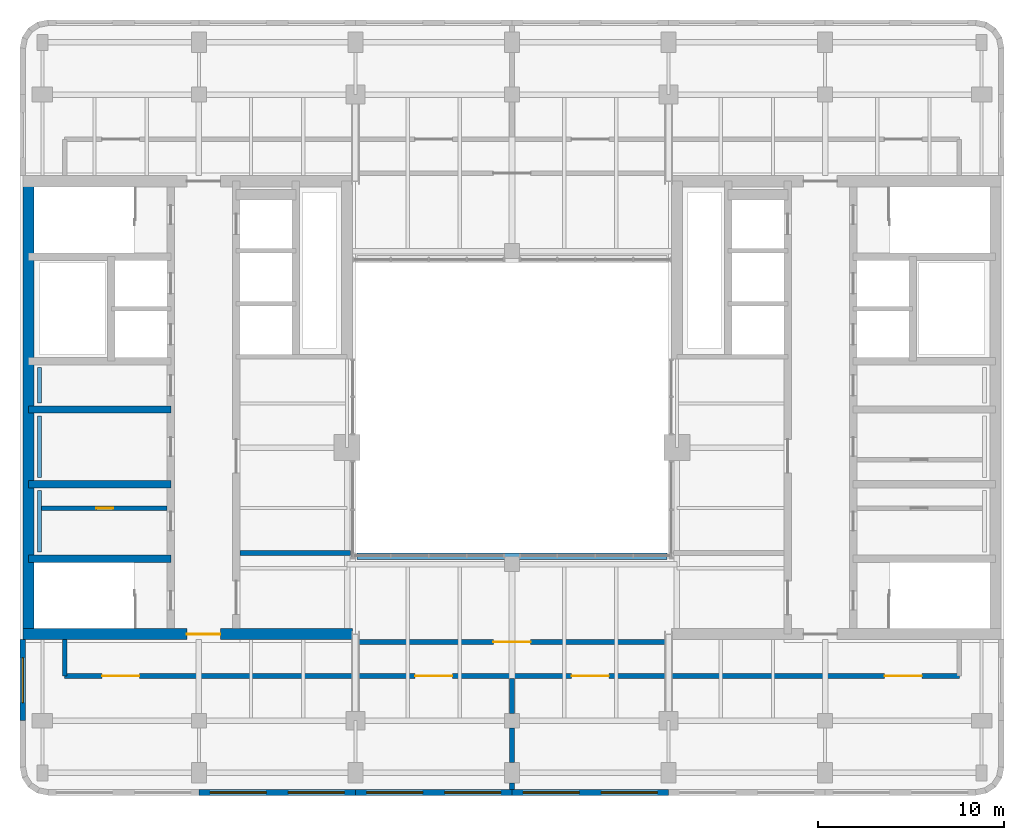
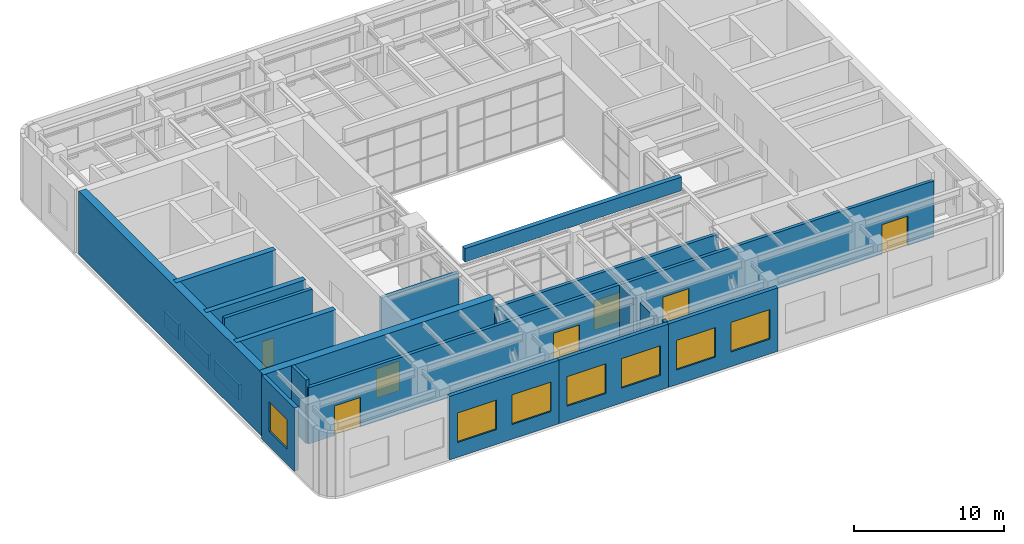
# One storey, part 7 of 11: 21 walls, 7 doors, 7 windows, 14 openings.
"""IFC4 building model written with IfcOpenShell, lengths in metres."""

from ifc_helpers import new_model, si_unit, direction, frame, frame_2d, origin, place, context, subcontext, project, spatial, rectangle, extrude, material, layer, layer_set, type_object, element, fill, save


model = new_model("IFC4")

# Units and contexts
model_context = context("Model", 3, precision=1e-05, world=origin(), true_north=direction((0.0, 1.0)))
body_context = subcontext(model_context, "Body", "Model", "MODEL_VIEW")
ifc_project = project(units=[si_unit("LENGTHUNIT", "METRE"), si_unit("AREAUNIT", "SQUARE_METRE"), si_unit("VOLUMEUNIT", "CUBIC_METRE"), si_unit("PLANEANGLEUNIT", "RADIAN"), si_unit("MASSUNIT", "GRAM", prefix="KILO")], contexts=[model_context])

# Site, building, storey
site_placement = place(None, origin())
site = spatial("IfcSite", under=ifc_project, at=site_placement, CompositionType="ELEMENT")
building_placement = place(site_placement, origin())
building = spatial("IfcBuilding", under=site, at=building_placement, Name="Claustro Exchange Tower", CompositionType="ELEMENT")
storey_placement = place(building_placement, frame((0.0, 0.0, 281.699951171875)))
storey = spatial("IfcBuildingStorey", under=building, at=storey_placement, Name="L64", CompositionType="ELEMENT", Elevation=281.699951171875)

# Wall
ifc_material_1 = material(Name="Concrete blockwork, rendered", Category="masonry")
ifc_layer_1 = layer(ifc_material_1, 0.25)
ifc_layer_set_1 = layer_set([ifc_layer_1], Name="Concrete blockwork, rendered")
wall_type_1 = type_object("IfcWallType", Name="P4 250 blockwork wall", PredefinedType="PARTITIONING", material=ifc_layer_set_1)
wall_1_placement = place(storey_placement, frame((10.597900390625, 17.39990234375, 0.0), z_axis=(0.0, 0.0, 1.0), x_axis=(1.0, 0.0, 0.0)))
element("IfcWall", 1, at=wall_1_placement, inside=storey, type_object=wall_type_1, Name="Partition P4 L64", PredefinedType="PARTITIONING", context=body_context, shape_type="SweptSolid", body=[
    extrude(rectangle(XDim=5.942138671875, YDim=0.25, at=frame_2d((2.97119140625, 0.0))), origin(), (0.0, 0.0, 1.0), 4.56005859375),
])

# Wall, openings, doors
wall_2_placement = place(storey_placement, frame((1.199951171875, 10.800048828125, 0.0), z_axis=(0.0, 0.0, 1.0), x_axis=(1.0, 0.0, 0.0)))
wall_2 = element("IfcWall", 2, at=wall_2_placement, inside=storey, type_object=wall_type_1, Name="Partition P4 L64", PredefinedType="PARTITIONING", context=body_context, shape_type="SweptSolid", body=[
    extrude(rectangle(XDim=48.0, YDim=0.25, at=frame_2d((24.0, 0.0))), origin(), (0.0, 0.0, 1.0), 4.56005859375),
])
opening_1_placement = place(wall_2_placement, frame((2.0, 0.0, 0.0)))
opening_1 = element("IfcOpeningElement", 3, at=opening_1_placement, cuts=wall_2, Name="Opening D9", PredefinedType="OPENING", context=body_context, shape_type="SweptSolid", body=[
    extrude(rectangle(XDim=2.0, YDim=2.39990234375, at=frame_2d((1.0, 1.199951171875))), frame((0.0, 0.135009765625, 0.0), z_axis=(0.0, -1.0, 0.0), x_axis=(1.0, 0.0, 0.0)), (0.0, 0.0, 1.0), 0.27001953125),
])
opening_2_placement = place(wall_2_placement, frame((18.800048828125, 0.0, 0.0)))
opening_2 = element("IfcOpeningElement", 4, at=opening_2_placement, cuts=wall_2, Name="Opening D9", PredefinedType="OPENING", context=body_context, shape_type="SweptSolid", body=[
    extrude(rectangle(XDim=2.0, YDim=2.39990234375, at=frame_2d((1.0, 1.199951171875))), frame((0.0, 0.135009765625, 0.0), z_axis=(0.0, -1.0, 0.0), x_axis=(1.0, 0.0, 0.0)), (0.0, 0.0, 1.0), 0.27001953125),
])
opening_3_placement = place(wall_2_placement, frame((27.199951171875, 0.0, 0.0)))
opening_3 = element("IfcOpeningElement", 5, at=opening_3_placement, cuts=wall_2, Name="Opening D9", PredefinedType="OPENING", context=body_context, shape_type="SweptSolid", body=[
    extrude(rectangle(XDim=2.0, YDim=2.39990234375, at=frame_2d((1.0, 1.199951171875))), frame((0.0, 0.135009765625, 0.0), z_axis=(0.0, -1.0, 0.0), x_axis=(1.0, 0.0, 0.0)), (0.0, 0.0, 1.0), 0.27001953125),
])
opening_4_placement = place(wall_2_placement, frame((44.0, 0.0, 0.0)))
opening_4 = element("IfcOpeningElement", 6, at=opening_4_placement, cuts=wall_2, Name="Opening D9", PredefinedType="OPENING", context=body_context, shape_type="SweptSolid", body=[
    extrude(rectangle(XDim=2.0, YDim=2.39990234375, at=frame_2d((1.0, 1.199951171875))), frame((0.0, 0.135009765625, 0.0), z_axis=(0.0, -1.0, 0.0), x_axis=(1.0, 0.0, 0.0)), (0.0, 0.0, 1.0), 0.27001953125),
])
ifc_material_2 = material(Name="Steel fire door, painted", Category="steel")
door_type_1 = type_object("IfcDoorType", Name="D9 2000 x 2400 plant room double door", OperationType="DOUBLE_DOOR_SINGLE_SWING", PredefinedType="DOOR", material=ifc_material_2)
door_1_placement = place(opening_1_placement, frame((2.0, 0.0, 0.0), z_axis=(0.0, 0.0, 1.0), x_axis=(-1.0, 0.0, 0.0)))
door_1 = element("IfcDoor", 7, at=door_1_placement, inside=storey, type_object=door_type_1, Name="Double door D9 L64", OperationType="DOUBLE_DOOR_SINGLE_SWING", OverallHeight=2.39990234375, OverallWidth=2.0, PredefinedType="DOOR", context=body_context, shape_type="SweptSolid", body=[
    extrude(rectangle(XDim=2.0, YDim=2.39990234375, at=frame_2d((1.0, 1.199951171875))), frame((0.0, 0.02490234375, 0.0), z_axis=(0.0, -1.0, 0.0), x_axis=(1.0, 0.0, 0.0)), (0.0, 0.0, 1.0), 0.050048828125),
])
fill(opening_1, door_1)
door_2_placement = place(opening_2_placement, frame((2.0, 0.0, 0.0), z_axis=(0.0, 0.0, 1.0), x_axis=(-1.0, 0.0, 0.0)))
door_2 = element("IfcDoor", 8, at=door_2_placement, inside=storey, type_object=door_type_1, Name="Double door D9 L64", OperationType="DOUBLE_DOOR_SINGLE_SWING", OverallHeight=2.39990234375, OverallWidth=2.0, PredefinedType="DOOR", context=body_context, shape_type="SweptSolid", body=[
    extrude(rectangle(XDim=2.0, YDim=2.39990234375, at=frame_2d((1.0, 1.199951171875))), frame((0.0, 0.02490234375, 0.0), z_axis=(0.0, -1.0, 0.0), x_axis=(1.0, 0.0, 0.0)), (0.0, 0.0, 1.0), 0.050048828125),
])
fill(opening_2, door_2)
door_3_placement = place(opening_3_placement, frame((2.0, 0.0, 0.0), z_axis=(0.0, 0.0, 1.0), x_axis=(-1.0, 0.0, 0.0)))
door_3 = element("IfcDoor", 9, at=door_3_placement, inside=storey, type_object=door_type_1, Name="Double door D9 L64", OperationType="DOUBLE_DOOR_SINGLE_SWING", OverallHeight=2.39990234375, OverallWidth=2.0, PredefinedType="DOOR", context=body_context, shape_type="SweptSolid", body=[
    extrude(rectangle(XDim=2.0, YDim=2.39990234375, at=frame_2d((1.0, 1.199951171875))), frame((0.0, 0.02490234375, 0.0), z_axis=(0.0, -1.0, 0.0), x_axis=(1.0, 0.0, 0.0)), (0.0, 0.0, 1.0), 0.050048828125),
])
fill(opening_3, door_3)
door_4_placement = place(opening_4_placement, frame((2.0, 0.0, 0.0), z_axis=(0.0, 0.0, 1.0), x_axis=(-1.0, 0.0, 0.0)))
door_4 = element("IfcDoor", 10, at=door_4_placement, inside=storey, type_object=door_type_1, Name="Double door D9 L64", OperationType="DOUBLE_DOOR_SINGLE_SWING", OverallHeight=2.39990234375, OverallWidth=2.0, PredefinedType="DOOR", context=body_context, shape_type="SweptSolid", body=[
    extrude(rectangle(XDim=2.0, YDim=2.39990234375, at=frame_2d((1.0, 1.199951171875))), frame((0.0, 0.02490234375, 0.0), z_axis=(0.0, -1.0, 0.0), x_axis=(1.0, 0.0, 0.0)), (0.0, 0.0, 1.0), 0.050048828125),
])
fill(opening_4, door_4)

# Walls
wall_3_placement = place(storey_placement, frame((1.199951171875, 10.800048828125, 0.0), z_axis=(0.0, 0.0, 1.0), x_axis=(0.0, 1.0, 0.0)))
element("IfcWall", 11, at=wall_3_placement, inside=storey, type_object=wall_type_1, Name="Partition P4 L64", PredefinedType="PARTITIONING", context=body_context, shape_type="SweptSolid", body=[
    extrude(rectangle(XDim=1.951904296875, YDim=0.25, at=frame_2d((0.97607421875, 0.0))), origin(), (0.0, 0.0, 1.0), 5.150146484375),
])
wall_4_placement = place(storey_placement, frame((25.199951171875, 4.697998046875, 0.0), z_axis=(0.0, 0.0, 1.0), x_axis=(0.0, 1.0, 0.0)))
element("IfcWall", 12, at=wall_4_placement, inside=storey, type_object=wall_type_1, Name="Partition P4 L64", PredefinedType="PARTITIONING", context=body_context, shape_type="SweptSolid", body=[
    extrude(rectangle(XDim=0.35107421875, YDim=0.25, at=frame_2d((0.175537109375, 0.0))), origin(), (0.0, 0.0, 1.0), 5.150146484375),
])
wall_5_placement = place(storey_placement, frame((25.199951171875, 6.14892578125, 0.0), z_axis=(0.0, 0.0, 1.0), x_axis=(0.0, 1.0, 0.0)))
element("IfcWall", 13, at=wall_5_placement, inside=storey, type_object=wall_type_1, Name="Partition P4 L64", PredefinedType="PARTITIONING", context=body_context, shape_type="SweptSolid", body=[
    extrude(rectangle(XDim=1.85205078125, YDim=0.25, at=frame_2d((0.926025390625, 0.0))), origin(), (0.0, 0.0, 1.0), 4.75),
])
wall_6_placement = place(storey_placement, frame((25.199951171875, 8.799072265625, 0.0), z_axis=(0.0, 0.0, 1.0), x_axis=(0.0, 1.0, 0.0)))
element("IfcWall", 14, at=wall_6_placement, inside=storey, type_object=wall_type_1, Name="Partition P4 L64", PredefinedType="PARTITIONING", context=body_context, shape_type="SweptSolid", body=[
    extrude(rectangle(XDim=1.876953125, YDim=0.25, at=frame_2d((0.9384765625, 0.0))), origin(), (0.0, 0.0, 1.0), 4.56005859375),
])

# Wall, opening, door
wall_7_placement = place(storey_placement, frame((16.64990234375, 12.625, 0.0), z_axis=(0.0, 0.0, 1.0), x_axis=(1.0, 0.0, 0.0)))
wall_7 = element("IfcWall", 15, at=wall_7_placement, inside=storey, type_object=wall_type_1, Name="Partition P4 L64", PredefinedType="PARTITIONING", context=body_context, shape_type="SweptSolid", body=[
    extrude(rectangle(XDim=17.10009765625, YDim=0.25, at=frame_2d((8.550048828125, 0.0))), origin(), (0.0, 0.0, 1.0), 4.56005859375),
])
opening_5_placement = place(wall_7_placement, frame((7.550048828125, 0.0, 0.0)))
opening_5 = element("IfcOpeningElement", 16, at=opening_5_placement, cuts=wall_7, Name="Opening D9", PredefinedType="OPENING", context=body_context, shape_type="SweptSolid", body=[
    extrude(rectangle(XDim=2.0, YDim=2.39990234375, at=frame_2d((1.0, 1.199951171875))), frame((0.0, 0.135009765625, 0.0), z_axis=(0.0, -1.0, 0.0), x_axis=(1.0, 0.0, 0.0)), (0.0, 0.0, 1.0), 0.27001953125),
])
door_5_placement = place(opening_5_placement, origin())
door_5 = element("IfcDoor", 17, at=door_5_placement, inside=storey, type_object=door_type_1, Name="Double door D9 L64", OperationType="DOUBLE_DOOR_SINGLE_SWING", OverallHeight=2.39990234375, OverallWidth=2.0, PredefinedType="DOOR", context=body_context, shape_type="SweptSolid", body=[
    extrude(rectangle(XDim=2.0, YDim=2.39990234375, at=frame_2d((1.0, 1.199951171875))), frame((0.0, 0.02490234375, 0.0), z_axis=(0.0, -1.0, 0.0), x_axis=(1.0, 0.0, 0.0)), (0.0, 0.0, 1.0), 0.050048828125),
])
fill(opening_5, door_5)

wall_8_placement = place(storey_placement, frame((-0.050048828125, 19.800048828125, 0.0), z_axis=(0.0, 0.0, 1.0), x_axis=(1.0, 0.0, 0.0)))
wall_8 = element("IfcWall", 18, at=wall_8_placement, inside=storey, type_object=wall_type_1, Name="Partition P4 L64", PredefinedType="PARTITIONING", context=body_context, shape_type="SweptSolid", body=[
    extrude(rectangle(XDim=6.75, YDim=0.25, at=frame_2d((3.375, 0.0))), origin(), (0.0, 0.0, 1.0), 5.199951171875),
])
opening_6_placement = place(wall_8_placement, frame((2.949951171875, 0.0, 0.0)))
opening_6 = element("IfcOpeningElement", 19, at=opening_6_placement, cuts=wall_8, Name="Opening D5", PredefinedType="OPENING", context=body_context, shape_type="SweptSolid", body=[
    extrude(rectangle(XDim=0.89990234375, YDim=2.199951171875, at=frame_2d((0.449951171875, 1.10009765625))), frame((0.0, 0.135009765625, 0.0), z_axis=(0.0, -1.0, 0.0), x_axis=(1.0, 0.0, 0.0)), (0.0, 0.0, 1.0), 0.27001953125),
])
ifc_material_3 = material(Name="Steel door, painted", Category="steel")
door_type_2 = type_object("IfcDoorType", Name="D5 900 x 2200 store door", OperationType="SINGLE_SWING_LEFT", PredefinedType="DOOR", material=ifc_material_3)
door_6_placement = place(opening_6_placement, origin())
door_6 = element("IfcDoor", 20, at=door_6_placement, inside=storey, type_object=door_type_2, Name="Store door D5 L64", OperationType="SINGLE_SWING_RIGHT", OverallHeight=2.199951171875, OverallWidth=0.89990234375, PredefinedType="DOOR", context=body_context, shape_type="SweptSolid", body=[
    extrude(rectangle(XDim=0.89990234375, YDim=2.199951171875, at=frame_2d((0.449951171875, 1.10009765625))), frame((0.0, 0.02490234375, 0.0), z_axis=(0.0, -1.0, 0.0), x_axis=(1.0, 0.0, 0.0)), (0.0, 0.0, 1.0), 0.050048828125),
])
fill(opening_6, door_6)

# Wall, openings, windows
ifc_material_4 = material(Name="Concrete HA-40 (C40/50), precast, white cement, acid-etched", Category="concrete")
ifc_layer_2 = layer(ifc_material_4, 0.300048828125)
ifc_layer_set_2 = layer_set([ifc_layer_2], Name="Concrete HA-40 (C40/50), precast, white cement, acid-etched")
wall_type_2 = type_object("IfcWallType", Name="PC1 300 precast concrete pier panel", PredefinedType="SOLIDWALL", material=ifc_layer_set_2)
wall_9_placement = place(storey_placement, frame((33.60009765625, 4.550048828125, 0.0), z_axis=(0.0, 0.0, 1.0), x_axis=(-1.0, 0.0, 0.0)))
wall_9 = element("IfcWall", 21, at=wall_9_placement, inside=storey, type_object=wall_type_2, Name="Precast pier panel PC1 L64", PredefinedType="SOLIDWALL", context=body_context, shape_type="SweptSolid", body=[
    extrude(rectangle(XDim=8.400146484375, YDim=0.300048828125, at=frame_2d((4.2001953125, 0.0))), origin(), (0.0, 0.0, 1.0), 5.150146484375),
])
opening_7_placement = place(wall_9_placement, frame((0.60009765625, 0.0, 1.199951171875)))
opening_7 = element("IfcOpeningElement", 22, at=opening_7_placement, cuts=wall_9, Name="Opening L1", PredefinedType="OPENING", context=body_context, shape_type="SweptSolid", body=[
    extrude(rectangle(XDim=3.0, YDim=2.39990234375, at=frame_2d((1.5, 1.199951171875))), frame((0.0, 0.159912109375, 0.0), z_axis=(0.0, -1.0, 0.0), x_axis=(1.0, 0.0, 0.0)), (0.0, 0.0, 1.0), 0.320068359375),
])
opening_8_placement = place(wall_9_placement, frame((4.800048828125, 0.0, 1.199951171875)))
opening_8 = element("IfcOpeningElement", 23, at=opening_8_placement, cuts=wall_9, Name="Opening L1", PredefinedType="OPENING", context=body_context, shape_type="SweptSolid", body=[
    extrude(rectangle(XDim=3.0, YDim=2.39990234375, at=frame_2d((1.5, 1.199951171875))), frame((0.0, 0.159912109375, 0.0), z_axis=(0.0, -1.0, 0.0), x_axis=(1.0, 0.0, 0.0)), (0.0, 0.0, 1.0), 0.320068359375),
])
ifc_material_5 = material(Name="Aluminium louvre blades", Category="aluminium")
window_type_1 = type_object("IfcWindowType", Name="L1 3000 x 2400 plant louvre", PartitioningType="SINGLE_PANEL", PredefinedType="USERDEFINED", material=ifc_material_5)
window_1_placement = place(opening_7_placement, origin())
window_1 = element("IfcWindow", 24, at=window_1_placement, inside=storey, type_object=window_type_1, Name="Plant louvre L1 L64", ObjectType="LOUVRE", OverallHeight=2.39990234375, OverallWidth=3.0, PartitioningType="SINGLE_PANEL", PredefinedType="USERDEFINED", context=body_context, shape_type="SweptSolid", body=[
    extrude(rectangle(XDim=3.0, YDim=2.39990234375, at=frame_2d((1.5, 1.199951171875))), frame((0.0, 0.030029296875, 0.0), z_axis=(0.0, -1.0, 0.0), x_axis=(1.0, 0.0, 0.0)), (0.0, 0.0, 1.0), 0.06005859375),
])
fill(opening_7, window_1)
window_2_placement = place(opening_8_placement, origin())
window_2 = element("IfcWindow", 25, at=window_2_placement, inside=storey, type_object=window_type_1, Name="Plant louvre L1 L64", ObjectType="LOUVRE", OverallHeight=2.39990234375, OverallWidth=3.0, PartitioningType="SINGLE_PANEL", PredefinedType="USERDEFINED", context=body_context, shape_type="SweptSolid", body=[
    extrude(rectangle(XDim=3.0, YDim=2.39990234375, at=frame_2d((1.5, 1.199951171875))), frame((0.0, 0.030029296875, 0.0), z_axis=(0.0, -1.0, 0.0), x_axis=(1.0, 0.0, 0.0)), (0.0, 0.0, 1.0), 0.06005859375),
])
fill(opening_8, window_2)

wall_10_placement = place(storey_placement, frame((25.199951171875, 4.550048828125, 0.0), z_axis=(0.0, 0.0, 1.0), x_axis=(-1.0, 0.0, 0.0)))
wall_10 = element("IfcWall", 26, at=wall_10_placement, inside=storey, type_object=wall_type_2, Name="Precast pier panel PC1 L64", PredefinedType="SOLIDWALL", context=body_context, shape_type="SweptSolid", body=[
    extrude(rectangle(XDim=8.39990234375, YDim=0.300048828125, at=frame_2d((4.199951171875, 0.0))), origin(), (0.0, 0.0, 1.0), 5.150146484375),
])
opening_9_placement = place(wall_10_placement, frame((0.60009765625, 0.0, 1.199951171875)))
opening_9 = element("IfcOpeningElement", 27, at=opening_9_placement, cuts=wall_10, Name="Opening L1", PredefinedType="OPENING", context=body_context, shape_type="SweptSolid", body=[
    extrude(rectangle(XDim=3.0, YDim=2.39990234375, at=frame_2d((1.5, 1.199951171875))), frame((0.0, 0.159912109375, 0.0), z_axis=(0.0, -1.0, 0.0), x_axis=(1.0, 0.0, 0.0)), (0.0, 0.0, 1.0), 0.320068359375),
])
opening_10_placement = place(wall_10_placement, frame((4.800048828125, 0.0, 1.199951171875)))
opening_10 = element("IfcOpeningElement", 28, at=opening_10_placement, cuts=wall_10, Name="Opening L1", PredefinedType="OPENING", context=body_context, shape_type="SweptSolid", body=[
    extrude(rectangle(XDim=3.0, YDim=2.39990234375, at=frame_2d((1.5, 1.199951171875))), frame((0.0, 0.159912109375, 0.0), z_axis=(0.0, -1.0, 0.0), x_axis=(1.0, 0.0, 0.0)), (0.0, 0.0, 1.0), 0.320068359375),
])
window_3_placement = place(opening_9_placement, origin())
window_3 = element("IfcWindow", 29, at=window_3_placement, inside=storey, type_object=window_type_1, Name="Plant louvre L1 L64", ObjectType="LOUVRE", OverallHeight=2.39990234375, OverallWidth=3.0, PartitioningType="SINGLE_PANEL", PredefinedType="USERDEFINED", context=body_context, shape_type="SweptSolid", body=[
    extrude(rectangle(XDim=3.0, YDim=2.39990234375, at=frame_2d((1.5, 1.199951171875))), frame((0.0, 0.030029296875, 0.0), z_axis=(0.0, -1.0, 0.0), x_axis=(1.0, 0.0, 0.0)), (0.0, 0.0, 1.0), 0.06005859375),
])
fill(opening_9, window_3)
window_4_placement = place(opening_10_placement, origin())
window_4 = element("IfcWindow", 30, at=window_4_placement, inside=storey, type_object=window_type_1, Name="Plant louvre L1 L64", ObjectType="LOUVRE", OverallHeight=2.39990234375, OverallWidth=3.0, PartitioningType="SINGLE_PANEL", PredefinedType="USERDEFINED", context=body_context, shape_type="SweptSolid", body=[
    extrude(rectangle(XDim=3.0, YDim=2.39990234375, at=frame_2d((1.5, 1.199951171875))), frame((0.0, 0.030029296875, 0.0), z_axis=(0.0, -1.0, 0.0), x_axis=(1.0, 0.0, 0.0)), (0.0, 0.0, 1.0), 0.06005859375),
])
fill(opening_10, window_4)

wall_11_placement = place(storey_placement, frame((16.800048828125, 4.550048828125, 0.0), z_axis=(0.0, 0.0, 1.0), x_axis=(-1.0, 0.0, 0.0)))
wall_11 = element("IfcWall", 31, at=wall_11_placement, inside=storey, type_object=wall_type_2, Name="Precast pier panel PC1 L64", PredefinedType="SOLIDWALL", context=body_context, shape_type="SweptSolid", body=[
    extrude(rectangle(XDim=8.400146484375, YDim=0.300048828125, at=frame_2d((4.2001953125, 0.0))), origin(), (0.0, 0.0, 1.0), 5.150146484375),
])
opening_11_placement = place(wall_11_placement, frame((0.60009765625, 0.0, 1.199951171875)))
opening_11 = element("IfcOpeningElement", 32, at=opening_11_placement, cuts=wall_11, Name="Opening L1", PredefinedType="OPENING", context=body_context, shape_type="SweptSolid", body=[
    extrude(rectangle(XDim=3.0, YDim=2.39990234375, at=frame_2d((1.5, 1.199951171875))), frame((0.0, 0.159912109375, 0.0), z_axis=(0.0, -1.0, 0.0), x_axis=(1.0, 0.0, 0.0)), (0.0, 0.0, 1.0), 0.320068359375),
])
opening_12_placement = place(wall_11_placement, frame((4.800048828125, 0.0, 1.199951171875)))
opening_12 = element("IfcOpeningElement", 33, at=opening_12_placement, cuts=wall_11, Name="Opening L1", PredefinedType="OPENING", context=body_context, shape_type="SweptSolid", body=[
    extrude(rectangle(XDim=3.0, YDim=2.39990234375, at=frame_2d((1.5, 1.199951171875))), frame((0.0, 0.159912109375, 0.0), z_axis=(0.0, -1.0, 0.0), x_axis=(1.0, 0.0, 0.0)), (0.0, 0.0, 1.0), 0.320068359375),
])
window_5_placement = place(opening_11_placement, origin())
window_5 = element("IfcWindow", 34, at=window_5_placement, inside=storey, type_object=window_type_1, Name="Plant louvre L1 L64", ObjectType="LOUVRE", OverallHeight=2.39990234375, OverallWidth=3.0, PartitioningType="SINGLE_PANEL", PredefinedType="USERDEFINED", context=body_context, shape_type="SweptSolid", body=[
    extrude(rectangle(XDim=3.0, YDim=2.39990234375, at=frame_2d((1.5, 1.199951171875))), frame((0.0, 0.030029296875, 0.0), z_axis=(0.0, -1.0, 0.0), x_axis=(1.0, 0.0, 0.0)), (0.0, 0.0, 1.0), 0.06005859375),
])
fill(opening_11, window_5)
window_6_placement = place(opening_12_placement, origin())
window_6 = element("IfcWindow", 35, at=window_6_placement, inside=storey, type_object=window_type_1, Name="Plant louvre L1 L64", ObjectType="LOUVRE", OverallHeight=2.39990234375, OverallWidth=3.0, PartitioningType="SINGLE_PANEL", PredefinedType="USERDEFINED", context=body_context, shape_type="SweptSolid", body=[
    extrude(rectangle(XDim=3.0, YDim=2.39990234375, at=frame_2d((1.5, 1.199951171875))), frame((0.0, 0.030029296875, 0.0), z_axis=(0.0, -1.0, 0.0), x_axis=(1.0, 0.0, 0.0)), (0.0, 0.0, 1.0), 0.06005859375),
])
fill(opening_12, window_6)

# Wall, opening, window
wall_12_placement = place(storey_placement, frame((-1.050048828125, 8.39990234375, 0.0), z_axis=(0.0, 0.0, 1.0), x_axis=(0.0, 1.0, 0.0)))
wall_12 = element("IfcWall", 36, at=wall_12_placement, inside=storey, type_object=wall_type_2, Name="Precast pier panel PC1 L64", PredefinedType="SOLIDWALL", context=body_context, shape_type="SweptSolid", body=[
    extrude(rectangle(XDim=4.35009765625, YDim=0.300048828125, at=frame_2d((2.175048828125, 0.0))), origin(), (0.0, 0.0, 1.0), 5.150146484375),
])
opening_13_placement = place(wall_12_placement, frame((0.97509765625, 0.0, 1.199951171875)))
opening_13 = element("IfcOpeningElement", 37, at=opening_13_placement, cuts=wall_12, Name="Opening L2", PredefinedType="OPENING", context=body_context, shape_type="SweptSolid", body=[
    extrude(rectangle(XDim=2.39990234375, YDim=2.39990234375, at=frame_2d((1.199951171875, 1.199951171875))), frame((0.0, 0.159912109375, 0.0), z_axis=(0.0, -1.0, 0.0), x_axis=(1.0, 0.0, 0.0)), (0.0, 0.0, 1.0), 0.320068359375),
])
ifc_material_6 = material(Name="Aluminium louvre blades", Category="aluminium")
window_type_2 = type_object("IfcWindowType", Name="L2 2400 x 2400 plant louvre", PartitioningType="SINGLE_PANEL", PredefinedType="USERDEFINED", material=ifc_material_6)
window_7_placement = place(opening_13_placement, origin())
window_7 = element("IfcWindow", 38, at=window_7_placement, inside=storey, type_object=window_type_2, Name="Plant louvre L2 L64", ObjectType="LOUVRE", OverallHeight=2.39990234375, OverallWidth=2.39990234375, PartitioningType="SINGLE_PANEL", PredefinedType="USERDEFINED", context=body_context, shape_type="SweptSolid", body=[
    extrude(rectangle(XDim=2.39990234375, YDim=2.39990234375, at=frame_2d((1.199951171875, 1.199951171875))), frame((0.0, 0.030029296875, 0.0), z_axis=(0.0, -1.0, 0.0), x_axis=(1.0, 0.0, 0.0)), (0.0, 0.0, 1.0), 0.06005859375),
])
fill(opening_13, window_7)

# Walls
ifc_material_7 = material(Name="Concrete HA-40 (C40/50), precast, white cement, acid-etched", Category="concrete")
ifc_layer_3 = layer(ifc_material_7, 0.35009765625)
ifc_layer_set_3 = layer_set([ifc_layer_3], Name="Concrete HA-40 (C40/50), precast, white cement, acid-etched")
wall_type_3 = type_object("IfcWallType", Name="PP2 350 precast concrete parapet", PredefinedType="PARAPET", material=ifc_layer_set_3)
wall_13_placement = place(storey_placement, frame((16.8798828125, 17.22509765625, 5.400146484375), z_axis=(0.0, 0.0, 1.0), x_axis=(1.0, 0.0, 0.0)))
element("IfcWall", 39, at=wall_13_placement, inside=storey, type_object=wall_type_3, Name="Parapet PP2 roof at +287.100", PredefinedType="PARAPET", context=body_context, shape_type="SweptSolid", body=[
    extrude(rectangle(XDim=16.64013671875, YDim=0.35009765625, at=frame_2d((8.320068359375, 0.0))), origin(), (0.0, 0.0, 1.0), 1.099853515625),
])
ifc_material_8 = material(Name="Gypsum board on steel studs, tiled", Category="steel")
ifc_layer_4 = layer(ifc_material_8, 0.199951171875)
ifc_layer_set_4 = layer_set([ifc_layer_4], Name="Gypsum board on steel studs, tiled")
wall_type_4 = type_object("IfcWallType", Name="PW1 200 WC duct wall", PredefinedType="PLUMBINGWALL", material=ifc_layer_set_4)
for number, where, z_axis, x_axis, name in (
    (40, (-0.14990234375, 17.449951171875, 0.0), (0.0, 0.0, 1.0), (0.0, 1.0, 0.0), "WC duct wall PW1 L64"),
    (41, (-0.14990234375, 21.449951171875, 0.0), (0.0, 0.0, 1.0), (0.0, 1.0, 0.0), "WC duct wall PW1 L64"),
):
    element("IfcWall", number, at=place(storey_placement, frame(where, z_axis=z_axis, x_axis=x_axis)), inside=storey, type_object=wall_type_4, Name=name, PredefinedType="PLUMBINGWALL", context=body_context, shape_type="SweptSolid", body=[
        extrude(rectangle(XDim=3.300048828125, YDim=0.199951171875, at=frame_2d((1.64990234375, 0.0))), origin(), (0.0, 0.0, 1.0), 1.199951171875),
    ])
wall_14_placement = place(storey_placement, frame((-0.14990234375, 25.449951171875, 0.0), z_axis=(0.0, 0.0, 1.0), x_axis=(0.0, 1.0, 0.0)))
element("IfcWall", 42, at=wall_14_placement, inside=storey, type_object=wall_type_4, Name="WC duct wall PW1 L64", PredefinedType="PLUMBINGWALL", context=body_context, shape_type="SweptSolid", body=[
    extrude(rectangle(XDim=1.900146484375, YDim=0.199951171875, at=frame_2d((0.9501953125, 0.0))), origin(), (0.0, 0.0, 1.0), 1.199951171875),
])

# Wall, opening, door
ifc_material_9 = material(Name="Concrete HA-50 (C50/60)", Category="concrete")
ifc_layer_5 = layer(ifc_material_9, 0.60009765625)
ifc_layer_set_5 = layer_set([ifc_layer_5], Name="Concrete HA-50 (C50/60)")
wall_type_5 = type_object("IfcWallType", Name="SW3 600 core shear wall", PredefinedType="SHEAR", material=ifc_layer_set_5)
wall_15_placement = place(storey_placement, frame((-1.050048828125, 13.050048828125, 0.0), z_axis=(0.0, 0.0, 1.0), x_axis=(1.0, 0.0, 0.0)))
wall_15 = element("IfcWall", 43, at=wall_15_placement, inside=storey, type_object=wall_type_5, Name="Core wall SW3 W core S face L64", PredefinedType="SHEAR", context=body_context, shape_type="SweptSolid", body=[
    extrude(rectangle(XDim=17.699951171875, YDim=0.60009765625, at=frame_2d((8.85009765625, 0.0))), origin(), (0.0, 0.0, 1.0), 5.150146484375),
])
opening_14_placement = place(wall_15_placement, frame((8.800048828125, 0.0, 0.0)))
opening_14 = element("IfcOpeningElement", 44, at=opening_14_placement, cuts=wall_15, Name="Opening D3", PredefinedType="OPENING", context=body_context, shape_type="SweptSolid", body=[
    extrude(rectangle(XDim=1.800048828125, YDim=2.39990234375, at=frame_2d((0.89990234375, 1.199951171875))), frame((0.0, 0.31005859375, 0.0), z_axis=(0.0, -1.0, 0.0), x_axis=(1.0, 0.0, 0.0)), (0.0, 0.0, 1.0), 0.6201171875),
])
ifc_material_10 = material(Name="Steel fire door, painted", Category="steel")
door_type_3 = type_object("IfcDoorType", Name="D3 1800 x 2400 fire-rated lobby double door", OperationType="DOUBLE_DOOR_SINGLE_SWING", PredefinedType="DOOR", material=ifc_material_10)
door_7_placement = place(opening_14_placement, origin())
door_7 = element("IfcDoor", 45, at=door_7_placement, inside=storey, type_object=door_type_3, Name="Lift lobby door D3 L64", OperationType="DOUBLE_DOOR_SINGLE_SWING", OverallHeight=2.39990234375, OverallWidth=1.800048828125, PredefinedType="DOOR", context=body_context, shape_type="SweptSolid", body=[
    extrude(rectangle(XDim=1.800048828125, YDim=2.39990234375, at=frame_2d((0.89990234375, 1.199951171875))), frame((0.0, 0.02490234375, 0.0), z_axis=(0.0, -1.0, 0.0), x_axis=(1.0, 0.0, 0.0)), (0.0, 0.0, 1.0), 0.050048828125),
])
fill(opening_14, door_7)

# Walls
ifc_material_11 = material(Name="Concrete HA-50 (C50/60)", Category="concrete")
ifc_layer_6 = layer(ifc_material_11, 0.60009765625)
ifc_layer_set_6 = layer_set([ifc_layer_6], Name="Concrete HA-50 (C50/60)")
wall_type_6 = type_object("IfcWallType", Name="SW3X 600 exposed core shear wall, board-marked face", PredefinedType="SHEAR", material=ifc_layer_set_6)
wall_16_placement = place(storey_placement, frame((-0.75, 13.050048828125, 0.0), z_axis=(0.0, 0.0, 1.0), x_axis=(0.0, 1.0, 0.0)))
element("IfcWall", 46, at=wall_16_placement, inside=storey, type_object=wall_type_6, Name="Core wall SW3X W core W face L64", PredefinedType="SHEAR", context=body_context, shape_type="SweptSolid", body=[
    extrude(rectangle(XDim=24.300048828125, YDim=0.60009765625, at=frame_2d((12.14990234375, 0.0))), origin(), (0.0, 0.0, 1.0), 5.150146484375),
])
ifc_material_12 = material(Name="Concrete HA-50 (C50/60)", Category="concrete")
ifc_layer_7 = layer(ifc_material_12, 0.39990234375)
ifc_layer_set_7 = layer_set([ifc_layer_7], Name="Concrete HA-50 (C50/60)")
wall_type_7 = type_object("IfcWallType", Name="SW4 400 internal core wall", PredefinedType="SHEAR", material=ifc_layer_set_7)
for number, where, z_axis, x_axis, name in (
    (47, (-0.75, 17.10009765625, 0.0), (0.0, 0.0, 1.0), (1.0, 0.0, 0.0), "Internal core wall SW4 W core L64"),
    (48, (-0.75, 21.10009765625, 0.0), (0.0, 0.0, 1.0), (1.0, 0.0, 0.0), "Internal core wall SW4 W core L64"),
    (49, (-0.75, 25.10009765625, 0.0), (0.0, 0.0, 1.0), (1.0, 0.0, 0.0), "Internal core wall SW4 W core L64"),
):
    element("IfcWall", number, at=place(storey_placement, frame(where, z_axis=z_axis, x_axis=x_axis)), inside=storey, type_object=wall_type_7, Name=name, PredefinedType="SHEAR", context=body_context, shape_type="SweptSolid", body=[
        extrude(rectangle(XDim=7.64990234375, YDim=0.39990234375, at=frame_2d((3.824951171875, 0.0))), origin(), (0.0, 0.0, 1.0), 5.150146484375),
    ])

save(model, "model.ifc")
